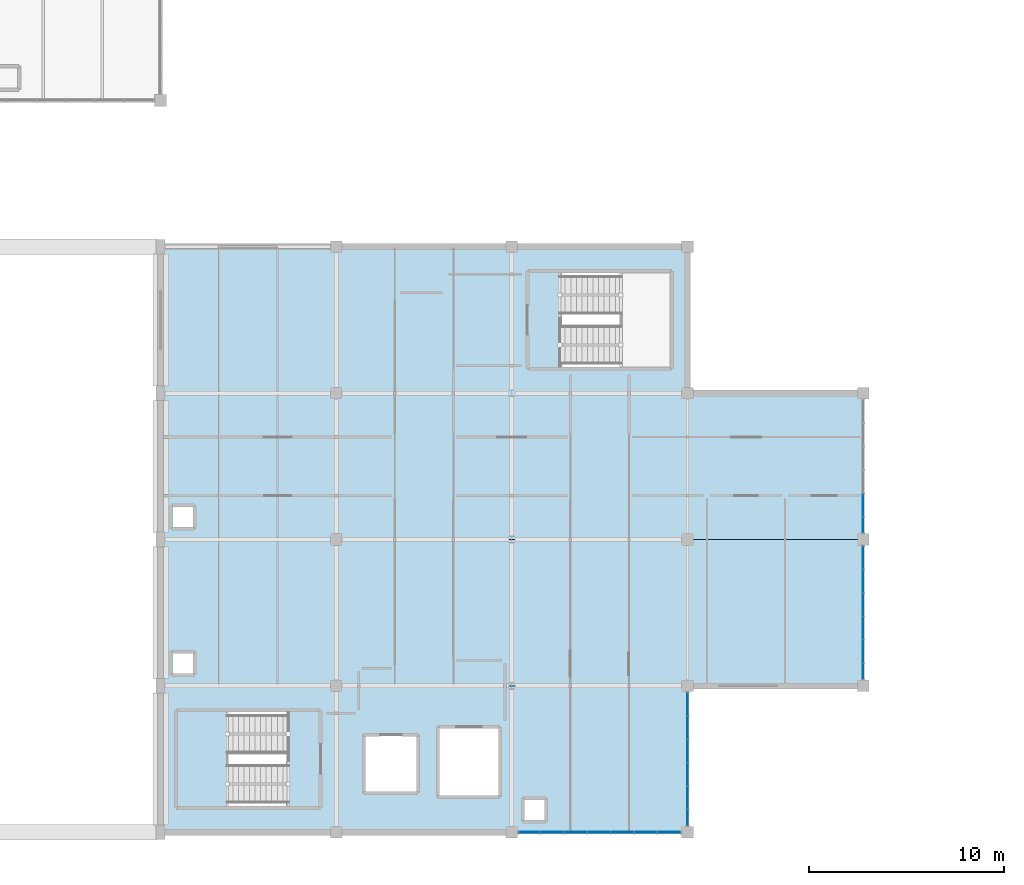
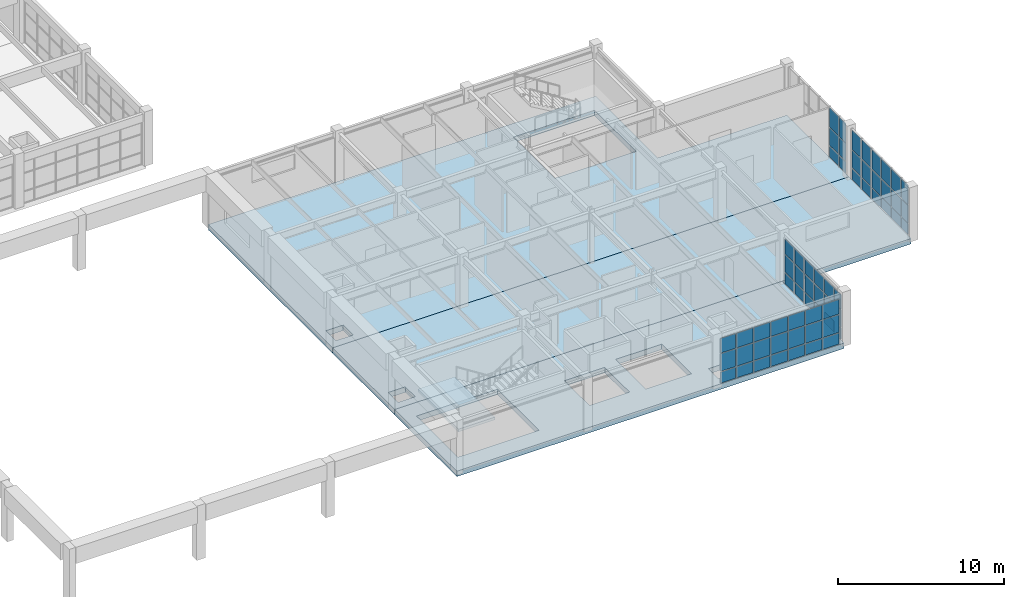
# One storey, part 48 of 76: 63 plates, 4 slabs, 5 elements without a shape of their own.
"""IFC4 building model written with IfcOpenShell, lengths in metres."""

from ifc_helpers import new_model, si_unit, direction, frame, origin, origin_2d, place, context, subcontext, project, spatial, polyline, rectangle, outline, extrude, material, layer, layer_set, type_object, element, aggregate, save


model = new_model("IFC4")

# Units and contexts
model_context = context("Model", 3, precision=1e-05, world=origin(), true_north=direction((0.0, 1.0)))
body_context = subcontext(model_context, "Body", "Model", "MODEL_VIEW")
ifc_project = project(units=[si_unit("LENGTHUNIT", "METRE"), si_unit("AREAUNIT", "SQUARE_METRE"), si_unit("VOLUMEUNIT", "CUBIC_METRE"), si_unit("PLANEANGLEUNIT", "RADIAN"), si_unit("MASSUNIT", "GRAM", prefix="KILO")], contexts=[model_context])

# Site, building, storey
site_placement = place(None, origin())
site = spatial("IfcSite", under=ifc_project, at=site_placement, CompositionType="ELEMENT")
building_placement = place(site_placement, origin())
building = spatial("IfcBuilding", under=site, at=building_placement, Name="Marnridge Secondary College", CompositionType="ELEMENT")
storey_placement = place(building_placement, frame((0.0, 0.0, 4.5)))
storey = spatial("IfcBuildingStorey", under=building, at=storey_placement, Name="L01", CompositionType="ELEMENT", Elevation=4.5)

# Curtain wall, plates
ifc_material_1 = material(Name="Thermally broken aluminium and low-E glazing", Category="aluminium")
ifc_layer_1 = layer(ifc_material_1, 0.179931640625)
ifc_layer_set_1 = layer_set([ifc_layer_1], Name="CW-MOD-1200")
curtain_wall_type = type_object("IfcCurtainWallType", Name="CW-MOD-1200", PredefinedType="NOTDEFINED", material=ifc_layer_set_1)
curtain_wall_1_placement = place(storey_placement, origin())
curtain_wall_1 = element("IfcCurtainWall", 1, at=curtain_wall_1_placement, inside=storey, type_object=curtain_wall_type, Name="Unitised curtain wall CW-L01-042", PredefinedType="NOTDEFINED")
ifc_material_2 = material(Name="Double-glazed low-E argon unit", Category="glass")
ifc_layer_2 = layer(ifc_material_2, 0.028076171875)
ifc_layer_set_2 = layer_set([ifc_layer_2], Name="CWP-GLZ28")
plate_type = type_object("IfcPlateType", Name="CWP-GLZ28", PredefinedType="CURTAIN_PANEL", material=ifc_layer_set_2)
plate_1_placement = place(storey_placement, frame((126.0, 16.763427734375, 0.06005859375), z_axis=(0.0, 0.0, 1.0), x_axis=(0.0, -1.0, 0.0)))
plate_1 = element("IfcPlate", 2, at=plate_1_placement, type_object=plate_type, Name="CW-L01-042 panel 5.1", PredefinedType="CURTAIN_PANEL", context=body_context, shape_type="SweptSolid", body=[
    extrude(rectangle(XDim=1.135009765625, YDim=0.028076171875, at=origin_2d()), origin(), (0.0, 0.0, 1.0), 0.81005859375),
])
plate_2_placement = place(storey_placement, frame((126.0, 16.763427734375, 0.929931640625), z_axis=(0.0, 0.0, 1.0), x_axis=(0.0, -1.0, 0.0)))
plate_2 = element("IfcPlate", 3, at=plate_2_placement, type_object=plate_type, Name="CW-L01-042 panel 5.2", PredefinedType="CURTAIN_PANEL", context=body_context, shape_type="SweptSolid", body=[
    extrude(rectangle(XDim=1.135009765625, YDim=0.028076171875, at=origin_2d()), origin(), (0.0, 0.0, 1.0), 1.2900390625),
])
plate_3_placement = place(storey_placement, frame((126.0, 16.763427734375, 2.2802734375), z_axis=(0.0, 0.0, 1.0), x_axis=(0.0, -1.0, 0.0)))
plate_3 = element("IfcPlate", 4, at=plate_3_placement, type_object=plate_type, Name="CW-L01-042 panel 5.3", PredefinedType="CURTAIN_PANEL", context=body_context, shape_type="SweptSolid", body=[
    extrude(rectangle(XDim=1.135009765625, YDim=0.028076171875, at=origin_2d()), origin(), (0.0, 0.0, 1.0), 1.429931640625),
])
plate_4_placement = place(storey_placement, frame((126.0, 15.75, 0.06005859375), z_axis=(0.0, 0.0, 1.0), x_axis=(0.0, -1.0, 0.0)))
plate_4 = element("IfcPlate", 5, at=plate_4_placement, type_object=plate_type, Name="CW-L01-042 panel 6.1", PredefinedType="CURTAIN_PANEL", context=body_context, shape_type="SweptSolid", body=[
    extrude(rectangle(XDim=0.761962890625, YDim=0.028076171875, at=origin_2d()), origin(), (0.0, 0.0, 1.0), 0.81005859375),
])
plate_5_placement = place(storey_placement, frame((126.0, 15.75, 0.929931640625), z_axis=(0.0, 0.0, 1.0), x_axis=(0.0, -1.0, 0.0)))
plate_5 = element("IfcPlate", 6, at=plate_5_placement, type_object=plate_type, Name="CW-L01-042 panel 6.2", PredefinedType="CURTAIN_PANEL", context=body_context, shape_type="SweptSolid", body=[
    extrude(rectangle(XDim=0.761962890625, YDim=0.028076171875, at=origin_2d()), origin(), (0.0, 0.0, 1.0), 1.2900390625),
])
plate_6_placement = place(storey_placement, frame((126.0, 15.75, 2.2802734375), z_axis=(0.0, 0.0, 1.0), x_axis=(0.0, -1.0, 0.0)))
plate_6 = element("IfcPlate", 7, at=plate_6_placement, type_object=plate_type, Name="CW-L01-042 panel 6.3", PredefinedType="CURTAIN_PANEL", context=body_context, shape_type="SweptSolid", body=[
    extrude(rectangle(XDim=0.761962890625, YDim=0.028076171875, at=origin_2d()), origin(), (0.0, 0.0, 1.0), 1.429931640625),
])
aggregate(curtain_wall_1, [plate_1, plate_2, plate_3, plate_4, plate_5, plate_6])

curtain_wall_2_placement = place(storey_placement, origin())
curtain_wall_2 = element("IfcCurtainWall", 8, at=curtain_wall_2_placement, inside=storey, type_object=curtain_wall_type, Name="Unitised curtain wall CW-L01-043", PredefinedType="NOTDEFINED")
plate_7_placement = place(storey_placement, frame((126.0, 14.0634765625, 0.06005859375), z_axis=(0.0, 0.0, 1.0), x_axis=(0.0, -1.0, 0.0)))
plate_7 = element("IfcPlate", 9, at=plate_7_placement, type_object=plate_type, Name="CW-L01-043 panel 1.1", PredefinedType="CURTAIN_PANEL", context=body_context, shape_type="SweptSolid", body=[
    extrude(rectangle(XDim=1.135009765625, YDim=0.028076171875, at=origin_2d()), origin(), (0.0, 0.0, 1.0), 0.81005859375),
])
plate_8_placement = place(storey_placement, frame((126.0, 14.0634765625, 0.929931640625), z_axis=(0.0, 0.0, 1.0), x_axis=(0.0, -1.0, 0.0)))
plate_8 = element("IfcPlate", 10, at=plate_8_placement, type_object=plate_type, Name="CW-L01-043 panel 1.2", PredefinedType="CURTAIN_PANEL", context=body_context, shape_type="SweptSolid", body=[
    extrude(rectangle(XDim=1.135009765625, YDim=0.028076171875, at=origin_2d()), origin(), (0.0, 0.0, 1.0), 1.2900390625),
])
plate_9_placement = place(storey_placement, frame((126.0, 14.0634765625, 2.2802734375), z_axis=(0.0, 0.0, 1.0), x_axis=(0.0, -1.0, 0.0)))
plate_9 = element("IfcPlate", 11, at=plate_9_placement, type_object=plate_type, Name="CW-L01-043 panel 1.3", PredefinedType="CURTAIN_PANEL", context=body_context, shape_type="SweptSolid", body=[
    extrude(rectangle(XDim=1.135009765625, YDim=0.028076171875, at=origin_2d()), origin(), (0.0, 0.0, 1.0), 1.429931640625),
])
plate_10_placement = place(storey_placement, frame((126.0, 12.863525390625, 0.06005859375), z_axis=(0.0, 0.0, 1.0), x_axis=(0.0, -1.0, 0.0)))
plate_10 = element("IfcPlate", 12, at=plate_10_placement, type_object=plate_type, Name="CW-L01-043 panel 2.1", PredefinedType="CURTAIN_PANEL", context=body_context, shape_type="SweptSolid", body=[
    extrude(rectangle(XDim=1.135009765625, YDim=0.028076171875, at=origin_2d()), origin(), (0.0, 0.0, 1.0), 0.81005859375),
])
plate_11_placement = place(storey_placement, frame((126.0, 12.863525390625, 0.929931640625), z_axis=(0.0, 0.0, 1.0), x_axis=(0.0, -1.0, 0.0)))
plate_11 = element("IfcPlate", 13, at=plate_11_placement, type_object=plate_type, Name="CW-L01-043 panel 2.2", PredefinedType="CURTAIN_PANEL", context=body_context, shape_type="SweptSolid", body=[
    extrude(rectangle(XDim=1.135009765625, YDim=0.028076171875, at=origin_2d()), origin(), (0.0, 0.0, 1.0), 1.2900390625),
])
plate_12_placement = place(storey_placement, frame((126.0, 12.863525390625, 2.2802734375), z_axis=(0.0, 0.0, 1.0), x_axis=(0.0, -1.0, 0.0)))
plate_12 = element("IfcPlate", 14, at=plate_12_placement, type_object=plate_type, Name="CW-L01-043 panel 2.3", PredefinedType="CURTAIN_PANEL", context=body_context, shape_type="SweptSolid", body=[
    extrude(rectangle(XDim=1.135009765625, YDim=0.028076171875, at=origin_2d()), origin(), (0.0, 0.0, 1.0), 1.429931640625),
])
plate_13_placement = place(storey_placement, frame((126.0, 11.66357421875, 0.06005859375), z_axis=(0.0, 0.0, 1.0), x_axis=(0.0, -1.0, 0.0)))
plate_13 = element("IfcPlate", 15, at=plate_13_placement, type_object=plate_type, Name="CW-L01-043 panel 3.1", PredefinedType="CURTAIN_PANEL", context=body_context, shape_type="SweptSolid", body=[
    extrude(rectangle(XDim=1.135009765625, YDim=0.028076171875, at=origin_2d()), origin(), (0.0, 0.0, 1.0), 0.81005859375),
])
plate_14_placement = place(storey_placement, frame((126.0, 11.66357421875, 0.929931640625), z_axis=(0.0, 0.0, 1.0), x_axis=(0.0, -1.0, 0.0)))
plate_14 = element("IfcPlate", 16, at=plate_14_placement, type_object=plate_type, Name="CW-L01-043 panel 3.2", PredefinedType="CURTAIN_PANEL", context=body_context, shape_type="SweptSolid", body=[
    extrude(rectangle(XDim=1.135009765625, YDim=0.028076171875, at=origin_2d()), origin(), (0.0, 0.0, 1.0), 1.2900390625),
])
plate_15_placement = place(storey_placement, frame((126.0, 11.66357421875, 2.2802734375), z_axis=(0.0, 0.0, 1.0), x_axis=(0.0, -1.0, 0.0)))
plate_15 = element("IfcPlate", 17, at=plate_15_placement, type_object=plate_type, Name="CW-L01-043 panel 3.3", PredefinedType="CURTAIN_PANEL", context=body_context, shape_type="SweptSolid", body=[
    extrude(rectangle(XDim=1.135009765625, YDim=0.028076171875, at=origin_2d()), origin(), (0.0, 0.0, 1.0), 1.429931640625),
])
plate_16_placement = place(storey_placement, frame((126.0, 10.46337890625, 0.06005859375), z_axis=(0.0, 0.0, 1.0), x_axis=(0.0, -1.0, 0.0)))
plate_16 = element("IfcPlate", 18, at=plate_16_placement, type_object=plate_type, Name="CW-L01-043 panel 4.1", PredefinedType="CURTAIN_PANEL", context=body_context, shape_type="SweptSolid", body=[
    extrude(rectangle(XDim=1.135009765625, YDim=0.028076171875, at=origin_2d()), origin(), (0.0, 0.0, 1.0), 0.81005859375),
])
plate_17_placement = place(storey_placement, frame((126.0, 10.46337890625, 0.929931640625), z_axis=(0.0, 0.0, 1.0), x_axis=(0.0, -1.0, 0.0)))
plate_17 = element("IfcPlate", 19, at=plate_17_placement, type_object=plate_type, Name="CW-L01-043 panel 4.2", PredefinedType="CURTAIN_PANEL", context=body_context, shape_type="SweptSolid", body=[
    extrude(rectangle(XDim=1.135009765625, YDim=0.028076171875, at=origin_2d()), origin(), (0.0, 0.0, 1.0), 1.2900390625),
])
plate_18_placement = place(storey_placement, frame((126.0, 10.46337890625, 2.2802734375), z_axis=(0.0, 0.0, 1.0), x_axis=(0.0, -1.0, 0.0)))
plate_18 = element("IfcPlate", 20, at=plate_18_placement, type_object=plate_type, Name="CW-L01-043 panel 4.3", PredefinedType="CURTAIN_PANEL", context=body_context, shape_type="SweptSolid", body=[
    extrude(rectangle(XDim=1.135009765625, YDim=0.028076171875, at=origin_2d()), origin(), (0.0, 0.0, 1.0), 1.429931640625),
])
plate_19_placement = place(storey_placement, frame((126.0, 9.263427734375, 0.06005859375), z_axis=(0.0, 0.0, 1.0), x_axis=(0.0, -1.0, 0.0)))
plate_19 = element("IfcPlate", 21, at=plate_19_placement, type_object=plate_type, Name="CW-L01-043 panel 5.1", PredefinedType="CURTAIN_PANEL", context=body_context, shape_type="SweptSolid", body=[
    extrude(rectangle(XDim=1.135009765625, YDim=0.028076171875, at=origin_2d()), origin(), (0.0, 0.0, 1.0), 0.81005859375),
])
plate_20_placement = place(storey_placement, frame((126.0, 9.263427734375, 0.929931640625), z_axis=(0.0, 0.0, 1.0), x_axis=(0.0, -1.0, 0.0)))
plate_20 = element("IfcPlate", 22, at=plate_20_placement, type_object=plate_type, Name="CW-L01-043 panel 5.2", PredefinedType="CURTAIN_PANEL", context=body_context, shape_type="SweptSolid", body=[
    extrude(rectangle(XDim=1.135009765625, YDim=0.028076171875, at=origin_2d()), origin(), (0.0, 0.0, 1.0), 1.2900390625),
])
plate_21_placement = place(storey_placement, frame((126.0, 9.263427734375, 2.2802734375), z_axis=(0.0, 0.0, 1.0), x_axis=(0.0, -1.0, 0.0)))
plate_21 = element("IfcPlate", 23, at=plate_21_placement, type_object=plate_type, Name="CW-L01-043 panel 5.3", PredefinedType="CURTAIN_PANEL", context=body_context, shape_type="SweptSolid", body=[
    extrude(rectangle(XDim=1.135009765625, YDim=0.028076171875, at=origin_2d()), origin(), (0.0, 0.0, 1.0), 1.429931640625),
])
plate_22_placement = place(storey_placement, frame((126.0, 8.25, 0.06005859375), z_axis=(0.0, 0.0, 1.0), x_axis=(0.0, -1.0, 0.0)))
plate_22 = element("IfcPlate", 24, at=plate_22_placement, type_object=plate_type, Name="CW-L01-043 panel 6.1", PredefinedType="CURTAIN_PANEL", context=body_context, shape_type="SweptSolid", body=[
    extrude(rectangle(XDim=0.761962890625, YDim=0.028076171875, at=origin_2d()), origin(), (0.0, 0.0, 1.0), 0.81005859375),
])
plate_23_placement = place(storey_placement, frame((126.0, 8.25, 0.929931640625), z_axis=(0.0, 0.0, 1.0), x_axis=(0.0, -1.0, 0.0)))
plate_23 = element("IfcPlate", 25, at=plate_23_placement, type_object=plate_type, Name="CW-L01-043 panel 6.2", PredefinedType="CURTAIN_PANEL", context=body_context, shape_type="SweptSolid", body=[
    extrude(rectangle(XDim=0.761962890625, YDim=0.028076171875, at=origin_2d()), origin(), (0.0, 0.0, 1.0), 1.2900390625),
])
plate_24_placement = place(storey_placement, frame((126.0, 8.25, 2.2802734375), z_axis=(0.0, 0.0, 1.0), x_axis=(0.0, -1.0, 0.0)))
plate_24 = element("IfcPlate", 26, at=plate_24_placement, type_object=plate_type, Name="CW-L01-043 panel 6.3", PredefinedType="CURTAIN_PANEL", context=body_context, shape_type="SweptSolid", body=[
    extrude(rectangle(XDim=0.761962890625, YDim=0.028076171875, at=origin_2d()), origin(), (0.0, 0.0, 1.0), 1.429931640625),
])
aggregate(curtain_wall_2, [plate_7, plate_8, plate_9, plate_10, plate_11, plate_12, plate_13, plate_14, plate_15, plate_16, plate_17, plate_18, plate_19, plate_20, plate_21, plate_22, plate_23, plate_24])

curtain_wall_3_placement = place(storey_placement, origin())
curtain_wall_3 = element("IfcCurtainWall", 27, at=curtain_wall_3_placement, inside=storey, type_object=curtain_wall_type, Name="Unitised curtain wall CW-L01-044", PredefinedType="NOTDEFINED")
plate_25_placement = place(storey_placement, frame((117.0, 6.5634765625, 0.06005859375), z_axis=(0.0, 0.0, 1.0), x_axis=(0.0, -1.0, 0.0)))
plate_25 = element("IfcPlate", 28, at=plate_25_placement, type_object=plate_type, Name="CW-L01-044 panel 1.1", PredefinedType="CURTAIN_PANEL", context=body_context, shape_type="SweptSolid", body=[
    extrude(rectangle(XDim=1.135009765625, YDim=0.028076171875, at=origin_2d()), origin(), (0.0, 0.0, 1.0), 0.81005859375),
])
plate_26_placement = place(storey_placement, frame((117.0, 6.5634765625, 0.929931640625), z_axis=(0.0, 0.0, 1.0), x_axis=(0.0, -1.0, 0.0)))
plate_26 = element("IfcPlate", 29, at=plate_26_placement, type_object=plate_type, Name="CW-L01-044 panel 1.2", PredefinedType="CURTAIN_PANEL", context=body_context, shape_type="SweptSolid", body=[
    extrude(rectangle(XDim=1.135009765625, YDim=0.028076171875, at=origin_2d()), origin(), (0.0, 0.0, 1.0), 1.2900390625),
])
plate_27_placement = place(storey_placement, frame((117.0, 6.5634765625, 2.27978515625), z_axis=(0.0, 0.0, 1.0), x_axis=(0.0, -1.0, 0.0)))
plate_27 = element("IfcPlate", 30, at=plate_27_placement, type_object=plate_type, Name="CW-L01-044 panel 1.3", PredefinedType="CURTAIN_PANEL", context=body_context, shape_type="SweptSolid", body=[
    extrude(rectangle(XDim=1.135009765625, YDim=0.028076171875, at=origin_2d()), origin(), (0.0, 0.0, 1.0), 1.070068359375),
])
plate_28_placement = place(storey_placement, frame((117.0, 5.363525390625, 0.06005859375), z_axis=(0.0, 0.0, 1.0), x_axis=(0.0, -1.0, 0.0)))
plate_28 = element("IfcPlate", 31, at=plate_28_placement, type_object=plate_type, Name="CW-L01-044 panel 2.1", PredefinedType="CURTAIN_PANEL", context=body_context, shape_type="SweptSolid", body=[
    extrude(rectangle(XDim=1.135009765625, YDim=0.028076171875, at=origin_2d()), origin(), (0.0, 0.0, 1.0), 0.81005859375),
])
plate_29_placement = place(storey_placement, frame((117.0, 5.363525390625, 0.929931640625), z_axis=(0.0, 0.0, 1.0), x_axis=(0.0, -1.0, 0.0)))
plate_29 = element("IfcPlate", 32, at=plate_29_placement, type_object=plate_type, Name="CW-L01-044 panel 2.2", PredefinedType="CURTAIN_PANEL", context=body_context, shape_type="SweptSolid", body=[
    extrude(rectangle(XDim=1.135009765625, YDim=0.028076171875, at=origin_2d()), origin(), (0.0, 0.0, 1.0), 1.2900390625),
])
plate_30_placement = place(storey_placement, frame((117.0, 5.363525390625, 2.27978515625), z_axis=(0.0, 0.0, 1.0), x_axis=(0.0, -1.0, 0.0)))
plate_30 = element("IfcPlate", 33, at=plate_30_placement, type_object=plate_type, Name="CW-L01-044 panel 2.3", PredefinedType="CURTAIN_PANEL", context=body_context, shape_type="SweptSolid", body=[
    extrude(rectangle(XDim=1.135009765625, YDim=0.028076171875, at=origin_2d()), origin(), (0.0, 0.0, 1.0), 1.070068359375),
])
plate_31_placement = place(storey_placement, frame((117.0, 4.16357421875, 0.06005859375), z_axis=(0.0, 0.0, 1.0), x_axis=(0.0, -1.0, 0.0)))
plate_31 = element("IfcPlate", 34, at=plate_31_placement, type_object=plate_type, Name="CW-L01-044 panel 3.1", PredefinedType="CURTAIN_PANEL", context=body_context, shape_type="SweptSolid", body=[
    extrude(rectangle(XDim=1.135009765625, YDim=0.028076171875, at=origin_2d()), origin(), (0.0, 0.0, 1.0), 0.81005859375),
])
plate_32_placement = place(storey_placement, frame((117.0, 4.16357421875, 0.929931640625), z_axis=(0.0, 0.0, 1.0), x_axis=(0.0, -1.0, 0.0)))
plate_32 = element("IfcPlate", 35, at=plate_32_placement, type_object=plate_type, Name="CW-L01-044 panel 3.2", PredefinedType="CURTAIN_PANEL", context=body_context, shape_type="SweptSolid", body=[
    extrude(rectangle(XDim=1.135009765625, YDim=0.028076171875, at=origin_2d()), origin(), (0.0, 0.0, 1.0), 1.2900390625),
])
plate_33_placement = place(storey_placement, frame((117.0, 4.16357421875, 2.27978515625), z_axis=(0.0, 0.0, 1.0), x_axis=(0.0, -1.0, 0.0)))
plate_33 = element("IfcPlate", 36, at=plate_33_placement, type_object=plate_type, Name="CW-L01-044 panel 3.3", PredefinedType="CURTAIN_PANEL", context=body_context, shape_type="SweptSolid", body=[
    extrude(rectangle(XDim=1.135009765625, YDim=0.028076171875, at=origin_2d()), origin(), (0.0, 0.0, 1.0), 1.070068359375),
])
plate_34_placement = place(storey_placement, frame((117.0, 2.96337890625, 0.06005859375), z_axis=(0.0, 0.0, 1.0), x_axis=(0.0, -1.0, 0.0)))
plate_34 = element("IfcPlate", 37, at=plate_34_placement, type_object=plate_type, Name="CW-L01-044 panel 4.1", PredefinedType="CURTAIN_PANEL", context=body_context, shape_type="SweptSolid", body=[
    extrude(rectangle(XDim=1.135009765625, YDim=0.028076171875, at=origin_2d()), origin(), (0.0, 0.0, 1.0), 0.81005859375),
])
plate_35_placement = place(storey_placement, frame((117.0, 2.96337890625, 0.929931640625), z_axis=(0.0, 0.0, 1.0), x_axis=(0.0, -1.0, 0.0)))
plate_35 = element("IfcPlate", 38, at=plate_35_placement, type_object=plate_type, Name="CW-L01-044 panel 4.2", PredefinedType="CURTAIN_PANEL", context=body_context, shape_type="SweptSolid", body=[
    extrude(rectangle(XDim=1.135009765625, YDim=0.028076171875, at=origin_2d()), origin(), (0.0, 0.0, 1.0), 1.2900390625),
])
plate_36_placement = place(storey_placement, frame((117.0, 2.96337890625, 2.27978515625), z_axis=(0.0, 0.0, 1.0), x_axis=(0.0, -1.0, 0.0)))
plate_36 = element("IfcPlate", 39, at=plate_36_placement, type_object=plate_type, Name="CW-L01-044 panel 4.3", PredefinedType="CURTAIN_PANEL", context=body_context, shape_type="SweptSolid", body=[
    extrude(rectangle(XDim=1.135009765625, YDim=0.028076171875, at=origin_2d()), origin(), (0.0, 0.0, 1.0), 1.070068359375),
])
plate_37_placement = place(storey_placement, frame((117.0, 1.763427734375, 0.06005859375), z_axis=(0.0, 0.0, 1.0), x_axis=(0.0, -1.0, 0.0)))
plate_37 = element("IfcPlate", 40, at=plate_37_placement, type_object=plate_type, Name="CW-L01-044 panel 5.1", PredefinedType="CURTAIN_PANEL", context=body_context, shape_type="SweptSolid", body=[
    extrude(rectangle(XDim=1.135009765625, YDim=0.028076171875, at=origin_2d()), origin(), (0.0, 0.0, 1.0), 0.81005859375),
])
plate_38_placement = place(storey_placement, frame((117.0, 1.763427734375, 0.929931640625), z_axis=(0.0, 0.0, 1.0), x_axis=(0.0, -1.0, 0.0)))
plate_38 = element("IfcPlate", 41, at=plate_38_placement, type_object=plate_type, Name="CW-L01-044 panel 5.2", PredefinedType="CURTAIN_PANEL", context=body_context, shape_type="SweptSolid", body=[
    extrude(rectangle(XDim=1.135009765625, YDim=0.028076171875, at=origin_2d()), origin(), (0.0, 0.0, 1.0), 1.2900390625),
])
plate_39_placement = place(storey_placement, frame((117.0, 1.763427734375, 2.27978515625), z_axis=(0.0, 0.0, 1.0), x_axis=(0.0, -1.0, 0.0)))
plate_39 = element("IfcPlate", 42, at=plate_39_placement, type_object=plate_type, Name="CW-L01-044 panel 5.3", PredefinedType="CURTAIN_PANEL", context=body_context, shape_type="SweptSolid", body=[
    extrude(rectangle(XDim=1.135009765625, YDim=0.028076171875, at=origin_2d()), origin(), (0.0, 0.0, 1.0), 1.070068359375),
])
plate_40_placement = place(storey_placement, frame((117.0, 0.75, 0.06005859375), z_axis=(0.0, 0.0, 1.0), x_axis=(0.0, -1.0, 0.0)))
plate_40 = element("IfcPlate", 43, at=plate_40_placement, type_object=plate_type, Name="CW-L01-044 panel 6.1", PredefinedType="CURTAIN_PANEL", context=body_context, shape_type="SweptSolid", body=[
    extrude(rectangle(XDim=0.761962890625, YDim=0.028076171875, at=origin_2d()), origin(), (0.0, 0.0, 1.0), 0.81005859375),
])
plate_41_placement = place(storey_placement, frame((117.0, 0.75, 0.929931640625), z_axis=(0.0, 0.0, 1.0), x_axis=(0.0, -1.0, 0.0)))
plate_41 = element("IfcPlate", 44, at=plate_41_placement, type_object=plate_type, Name="CW-L01-044 panel 6.2", PredefinedType="CURTAIN_PANEL", context=body_context, shape_type="SweptSolid", body=[
    extrude(rectangle(XDim=0.761962890625, YDim=0.028076171875, at=origin_2d()), origin(), (0.0, 0.0, 1.0), 1.2900390625),
])
plate_42_placement = place(storey_placement, frame((117.0, 0.75, 2.27978515625), z_axis=(0.0, 0.0, 1.0), x_axis=(0.0, -1.0, 0.0)))
plate_42 = element("IfcPlate", 45, at=plate_42_placement, type_object=plate_type, Name="CW-L01-044 panel 6.3", PredefinedType="CURTAIN_PANEL", context=body_context, shape_type="SweptSolid", body=[
    extrude(rectangle(XDim=0.761962890625, YDim=0.028076171875, at=origin_2d()), origin(), (0.0, 0.0, 1.0), 1.070068359375),
])
aggregate(curtain_wall_3, [plate_25, plate_26, plate_27, plate_28, plate_29, plate_30, plate_31, plate_32, plate_33, plate_34, plate_35, plate_36, plate_37, plate_38, plate_39, plate_40, plate_41, plate_42])

curtain_wall_4_placement = place(storey_placement, origin())
curtain_wall_4 = element("IfcCurtainWall", 46, at=curtain_wall_4_placement, inside=storey, type_object=curtain_wall_type, Name="Unitised curtain wall CW-L01-045", PredefinedType="NOTDEFINED")
plate_43_placement = place(storey_placement, frame((116.0634765625, 0.0, 0.06005859375), z_axis=(0.0, 0.0, 1.0), x_axis=(-1.0, 0.0, 0.0)))
plate_43 = element("IfcPlate", 47, at=plate_43_placement, type_object=plate_type, Name="CW-L01-045 panel 1.1", PredefinedType="CURTAIN_PANEL", context=body_context, shape_type="SweptSolid", body=[
    extrude(rectangle(XDim=1.135009765625, YDim=0.028076171875, at=origin_2d()), origin(), (0.0, 0.0, 1.0), 0.81005859375),
])
plate_44_placement = place(storey_placement, frame((116.0634765625, 0.0, 0.929931640625), z_axis=(0.0, 0.0, 1.0), x_axis=(-1.0, 0.0, 0.0)))
plate_44 = element("IfcPlate", 48, at=plate_44_placement, type_object=plate_type, Name="CW-L01-045 panel 1.2", PredefinedType="CURTAIN_PANEL", context=body_context, shape_type="SweptSolid", body=[
    extrude(rectangle(XDim=1.135009765625, YDim=0.028076171875, at=origin_2d()), origin(), (0.0, 0.0, 1.0), 1.2900390625),
])
plate_45_placement = place(storey_placement, frame((116.0634765625, 0.0, 2.27978515625), z_axis=(0.0, 0.0, 1.0), x_axis=(-1.0, 0.0, 0.0)))
plate_45 = element("IfcPlate", 49, at=plate_45_placement, type_object=plate_type, Name="CW-L01-045 panel 1.3", PredefinedType="CURTAIN_PANEL", context=body_context, shape_type="SweptSolid", body=[
    extrude(rectangle(XDim=1.135009765625, YDim=0.028076171875, at=origin_2d()), origin(), (0.0, 0.0, 1.0), 1.070068359375),
])
plate_46_placement = place(storey_placement, frame((114.863525390625, 0.0, 0.06005859375), z_axis=(0.0, 0.0, 1.0), x_axis=(-1.0, 0.0, 0.0)))
plate_46 = element("IfcPlate", 50, at=plate_46_placement, type_object=plate_type, Name="CW-L01-045 panel 2.1", PredefinedType="CURTAIN_PANEL", context=body_context, shape_type="SweptSolid", body=[
    extrude(rectangle(XDim=1.135009765625, YDim=0.028076171875, at=origin_2d()), origin(), (0.0, 0.0, 1.0), 0.81005859375),
])
plate_47_placement = place(storey_placement, frame((114.863525390625, 0.0, 0.929931640625), z_axis=(0.0, 0.0, 1.0), x_axis=(-1.0, 0.0, 0.0)))
plate_47 = element("IfcPlate", 51, at=plate_47_placement, type_object=plate_type, Name="CW-L01-045 panel 2.2", PredefinedType="CURTAIN_PANEL", context=body_context, shape_type="SweptSolid", body=[
    extrude(rectangle(XDim=1.135009765625, YDim=0.028076171875, at=origin_2d()), origin(), (0.0, 0.0, 1.0), 1.2900390625),
])
plate_48_placement = place(storey_placement, frame((114.863525390625, 0.0, 2.27978515625), z_axis=(0.0, 0.0, 1.0), x_axis=(-1.0, 0.0, 0.0)))
plate_48 = element("IfcPlate", 52, at=plate_48_placement, type_object=plate_type, Name="CW-L01-045 panel 2.3", PredefinedType="CURTAIN_PANEL", context=body_context, shape_type="SweptSolid", body=[
    extrude(rectangle(XDim=1.135009765625, YDim=0.028076171875, at=origin_2d()), origin(), (0.0, 0.0, 1.0), 1.070068359375),
])
plate_49_placement = place(storey_placement, frame((113.66357421875, 0.0, 0.06005859375), z_axis=(0.0, 0.0, 1.0), x_axis=(-1.0, 0.0, 0.0)))
plate_49 = element("IfcPlate", 53, at=plate_49_placement, type_object=plate_type, Name="CW-L01-045 panel 3.1", PredefinedType="CURTAIN_PANEL", context=body_context, shape_type="SweptSolid", body=[
    extrude(rectangle(XDim=1.135009765625, YDim=0.028076171875, at=origin_2d()), origin(), (0.0, 0.0, 1.0), 0.81005859375),
])
plate_50_placement = place(storey_placement, frame((113.66357421875, 0.0, 0.929931640625), z_axis=(0.0, 0.0, 1.0), x_axis=(-1.0, 0.0, 0.0)))
plate_50 = element("IfcPlate", 54, at=plate_50_placement, type_object=plate_type, Name="CW-L01-045 panel 3.2", PredefinedType="CURTAIN_PANEL", context=body_context, shape_type="SweptSolid", body=[
    extrude(rectangle(XDim=1.135009765625, YDim=0.028076171875, at=origin_2d()), origin(), (0.0, 0.0, 1.0), 1.2900390625),
])
plate_51_placement = place(storey_placement, frame((113.66357421875, 0.0, 2.27978515625), z_axis=(0.0, 0.0, 1.0), x_axis=(-1.0, 0.0, 0.0)))
plate_51 = element("IfcPlate", 55, at=plate_51_placement, type_object=plate_type, Name="CW-L01-045 panel 3.3", PredefinedType="CURTAIN_PANEL", context=body_context, shape_type="SweptSolid", body=[
    extrude(rectangle(XDim=1.135009765625, YDim=0.028076171875, at=origin_2d()), origin(), (0.0, 0.0, 1.0), 1.070068359375),
])
plate_52_placement = place(storey_placement, frame((112.46337890625, 0.0, 0.06005859375), z_axis=(0.0, 0.0, 1.0), x_axis=(-1.0, 0.0, 0.0)))
plate_52 = element("IfcPlate", 56, at=plate_52_placement, type_object=plate_type, Name="CW-L01-045 panel 4.1", PredefinedType="CURTAIN_PANEL", context=body_context, shape_type="SweptSolid", body=[
    extrude(rectangle(XDim=1.135009765625, YDim=0.028076171875, at=origin_2d()), origin(), (0.0, 0.0, 1.0), 0.81005859375),
])
plate_53_placement = place(storey_placement, frame((112.46337890625, 0.0, 0.929931640625), z_axis=(0.0, 0.0, 1.0), x_axis=(-1.0, 0.0, 0.0)))
plate_53 = element("IfcPlate", 57, at=plate_53_placement, type_object=plate_type, Name="CW-L01-045 panel 4.2", PredefinedType="CURTAIN_PANEL", context=body_context, shape_type="SweptSolid", body=[
    extrude(rectangle(XDim=1.135009765625, YDim=0.028076171875, at=origin_2d()), origin(), (0.0, 0.0, 1.0), 1.2900390625),
])
plate_54_placement = place(storey_placement, frame((112.46337890625, 0.0, 2.27978515625), z_axis=(0.0, 0.0, 1.0), x_axis=(-1.0, 0.0, 0.0)))
plate_54 = element("IfcPlate", 58, at=plate_54_placement, type_object=plate_type, Name="CW-L01-045 panel 4.3", PredefinedType="CURTAIN_PANEL", context=body_context, shape_type="SweptSolid", body=[
    extrude(rectangle(XDim=1.135009765625, YDim=0.028076171875, at=origin_2d()), origin(), (0.0, 0.0, 1.0), 1.070068359375),
])
plate_55_placement = place(storey_placement, frame((111.263427734375, 0.0, 0.06005859375), z_axis=(0.0, 0.0, 1.0), x_axis=(-1.0, 0.0, 0.0)))
plate_55 = element("IfcPlate", 59, at=plate_55_placement, type_object=plate_type, Name="CW-L01-045 panel 5.1", PredefinedType="CURTAIN_PANEL", context=body_context, shape_type="SweptSolid", body=[
    extrude(rectangle(XDim=1.135009765625, YDim=0.028076171875, at=origin_2d()), origin(), (0.0, 0.0, 1.0), 0.81005859375),
])
plate_56_placement = place(storey_placement, frame((111.263427734375, 0.0, 0.929931640625), z_axis=(0.0, 0.0, 1.0), x_axis=(-1.0, 0.0, 0.0)))
plate_56 = element("IfcPlate", 60, at=plate_56_placement, type_object=plate_type, Name="CW-L01-045 panel 5.2", PredefinedType="CURTAIN_PANEL", context=body_context, shape_type="SweptSolid", body=[
    extrude(rectangle(XDim=1.135009765625, YDim=0.028076171875, at=origin_2d()), origin(), (0.0, 0.0, 1.0), 1.2900390625),
])
plate_57_placement = place(storey_placement, frame((111.263427734375, 0.0, 2.27978515625), z_axis=(0.0, 0.0, 1.0), x_axis=(-1.0, 0.0, 0.0)))
plate_57 = element("IfcPlate", 61, at=plate_57_placement, type_object=plate_type, Name="CW-L01-045 panel 5.3", PredefinedType="CURTAIN_PANEL", context=body_context, shape_type="SweptSolid", body=[
    extrude(rectangle(XDim=1.135009765625, YDim=0.028076171875, at=origin_2d()), origin(), (0.0, 0.0, 1.0), 1.070068359375),
])
plate_58_placement = place(storey_placement, frame((110.0634765625, 0.0, 0.06005859375), z_axis=(0.0, 0.0, 1.0), x_axis=(-1.0, 0.0, 0.0)))
plate_58 = element("IfcPlate", 62, at=plate_58_placement, type_object=plate_type, Name="CW-L01-045 panel 6.1", PredefinedType="CURTAIN_PANEL", context=body_context, shape_type="SweptSolid", body=[
    extrude(rectangle(XDim=1.135009765625, YDim=0.028076171875, at=origin_2d()), origin(), (0.0, 0.0, 1.0), 0.81005859375),
])
plate_59_placement = place(storey_placement, frame((110.0634765625, 0.0, 0.929931640625), z_axis=(0.0, 0.0, 1.0), x_axis=(-1.0, 0.0, 0.0)))
plate_59 = element("IfcPlate", 63, at=plate_59_placement, type_object=plate_type, Name="CW-L01-045 panel 6.2", PredefinedType="CURTAIN_PANEL", context=body_context, shape_type="SweptSolid", body=[
    extrude(rectangle(XDim=1.135009765625, YDim=0.028076171875, at=origin_2d()), origin(), (0.0, 0.0, 1.0), 1.2900390625),
])
plate_60_placement = place(storey_placement, frame((110.0634765625, 0.0, 2.27978515625), z_axis=(0.0, 0.0, 1.0), x_axis=(-1.0, 0.0, 0.0)))
plate_60 = element("IfcPlate", 64, at=plate_60_placement, type_object=plate_type, Name="CW-L01-045 panel 6.3", PredefinedType="CURTAIN_PANEL", context=body_context, shape_type="SweptSolid", body=[
    extrude(rectangle(XDim=1.135009765625, YDim=0.028076171875, at=origin_2d()), origin(), (0.0, 0.0, 1.0), 1.070068359375),
])
plate_61_placement = place(storey_placement, frame((108.89990234375, 0.0, 0.06005859375), z_axis=(0.0, 0.0, 1.0), x_axis=(-1.0, 0.0, 0.0)))
plate_61 = element("IfcPlate", 65, at=plate_61_placement, type_object=plate_type, Name="CW-L01-045 panel 7.1", PredefinedType="CURTAIN_PANEL", context=body_context, shape_type="SweptSolid", body=[
    extrude(rectangle(XDim=1.06201171875, YDim=0.028076171875, at=origin_2d()), origin(), (0.0, 0.0, 1.0), 0.81005859375),
])
plate_62_placement = place(storey_placement, frame((108.89990234375, 0.0, 0.929931640625), z_axis=(0.0, 0.0, 1.0), x_axis=(-1.0, 0.0, 0.0)))
plate_62 = element("IfcPlate", 66, at=plate_62_placement, type_object=plate_type, Name="CW-L01-045 panel 7.2", PredefinedType="CURTAIN_PANEL", context=body_context, shape_type="SweptSolid", body=[
    extrude(rectangle(XDim=1.06201171875, YDim=0.028076171875, at=origin_2d()), origin(), (0.0, 0.0, 1.0), 1.2900390625),
])
plate_63_placement = place(storey_placement, frame((108.89990234375, 0.0, 2.27978515625), z_axis=(0.0, 0.0, 1.0), x_axis=(-1.0, 0.0, 0.0)))
plate_63 = element("IfcPlate", 67, at=plate_63_placement, type_object=plate_type, Name="CW-L01-045 panel 7.3", PredefinedType="CURTAIN_PANEL", context=body_context, shape_type="SweptSolid", body=[
    extrude(rectangle(XDim=1.06201171875, YDim=0.028076171875, at=origin_2d()), origin(), (0.0, 0.0, 1.0), 1.070068359375),
])
aggregate(curtain_wall_4, [plate_43, plate_44, plate_45, plate_46, plate_47, plate_48, plate_49, plate_50, plate_51, plate_52, plate_53, plate_54, plate_55, plate_56, plate_57, plate_58, plate_59, plate_60, plate_61, plate_62, plate_63])

# Stair, slab
ifc_material_3 = material(Name="Concrete C40/50 (AS 3600 N40, 40 MPa)", Category="concrete")
stair_type = type_object("IfcStairType", Name="STC1", PredefinedType="HALF_TURN_STAIR", material=ifc_material_3)
stair_placement = place(storey_placement, origin())
stair = element("IfcStair", 68, at=stair_placement, inside=storey, type_object=stair_type, Name="Fire-isolated stair ST-07-L01", PredefinedType="HALF_TURN_STAIR")
ifc_material_4 = material(Name="Concrete C40/50 (AS 3600 N40, 40 MPa)", Category="concrete")
ifc_layer_3 = layer(ifc_material_4, 0.199951171875)
ifc_layer_set_3 = layer_set([ifc_layer_3], Name="SL-LAND-200")
slab_type_1 = type_object("IfcSlabType", Name="SL-LAND-200", PredefinedType="LANDING", material=ifc_layer_set_3)
slab_1_placement = place(storey_placement, frame((0.0, 0.0, 1.800048828125)))
slab_1 = element("IfcSlab", 69, at=slab_1_placement, type_object=slab_type_1, Name="ST-07-L01 landing 1", PredefinedType="LANDING", context=body_context, shape_type="SweptSolid", body=[
    extrude(outline(polyline([(90.860107421875, 1.31005859375), (93.4150390625, 1.31005859375), (93.4150390625, 6.18994140625), (90.860107421875, 6.18994140625), (90.860107421875, 1.31005859375)])), origin(), (0.0, 0.0, 1.0), 0.199951171875),
])
aggregate(stair, [slab_1])

# Slabs
ifc_material_5 = material(Name="Concrete C40/50 (AS 3600 N40, 40 MPa)", Category="concrete")
ifc_layer_4 = layer(ifc_material_5, 0.39990234375)
ifc_layer_set_4 = layer_set([ifc_layer_4], Name="SL-TRANS-400")
slab_type_2 = type_object("IfcSlabType", Name="SL-TRANS-400", PredefinedType="FLOOR", material=ifc_layer_set_4)
slab_2_placement = place(storey_placement, frame((0.0, 0.0, -0.39990234375)))
element("IfcSlab", 70, at=slab_2_placement, inside=storey, type_object=slab_type_2, Name="Floor slab SL-L01-016", PredefinedType="FLOOR", context=body_context, shape_type="SweptSolid", body=[
    extrude(outline(polyline([(90.0, 0.0), (90.0, 7.5), (117.0, 7.5), (117.0, 0.0), (90.0, 0.0)]), holes=[polyline([(90.800048828125, 1.25), (96.449951171875, 1.25), (96.449951171875, 6.25), (90.800048828125, 6.25), (90.800048828125, 1.25)]), polyline([(100.39990234375, 2.0), (103.199951171875, 2.0), (103.199951171875, 5.0), (100.39990234375, 5.0), (100.39990234375, 2.0)]), polyline([(104.199951171875, 1.800048828125), (107.39990234375, 1.800048828125), (107.39990234375, 5.39990234375), (104.199951171875, 5.39990234375), (104.199951171875, 1.800048828125)]), polyline([(108.550048828125, 0.550048828125), (109.75, 0.550048828125), (109.75, 1.75), (108.550048828125, 1.75), (108.550048828125, 0.550048828125)])]), origin(), (0.0, 0.0, 1.0), 0.39990234375),
])
slab_3_placement = place(storey_placement, frame((0.0, 0.0, -0.39990234375)))
element("IfcSlab", 71, at=slab_3_placement, inside=storey, type_object=slab_type_2, Name="Floor slab SL-L01-017", PredefinedType="FLOOR", context=body_context, shape_type="SweptSolid", body=[
    extrude(outline(polyline([(90.0, 15.0), (126.0, 15.0), (126.0, 7.5), (90.0, 7.5), (90.0, 15.0)]), holes=[polyline([(90.550048828125, 8.050048828125), (91.75, 8.050048828125), (91.75, 9.25), (90.550048828125, 9.25), (90.550048828125, 8.050048828125)])]), origin(), (0.0, 0.0, 1.0), 0.39990234375),
])
slab_4_placement = place(storey_placement, frame((0.0, 0.0, -0.39990234375)))
element("IfcSlab", 72, at=slab_4_placement, inside=storey, type_object=slab_type_2, Name="Floor slab SL-L01-018", PredefinedType="FLOOR", context=body_context, shape_type="SweptSolid", body=[
    extrude(outline(polyline([(90.0, 30.0), (117.0, 30.0), (117.0, 22.5), (126.0, 22.5), (126.0, 15.0), (90.0, 15.0), (90.0, 30.0)]), holes=[polyline([(110.550048828125, 23.75), (116.199951171875, 23.75), (116.199951171875, 28.75), (110.550048828125, 28.75), (110.550048828125, 23.75)]), polyline([(90.550048828125, 15.550048828125), (91.75, 15.550048828125), (91.75, 16.75), (90.550048828125, 16.75), (90.550048828125, 15.550048828125)])]), origin(), (0.0, 0.0, 1.0), 0.39990234375),
])

save(model, "model.ifc")
